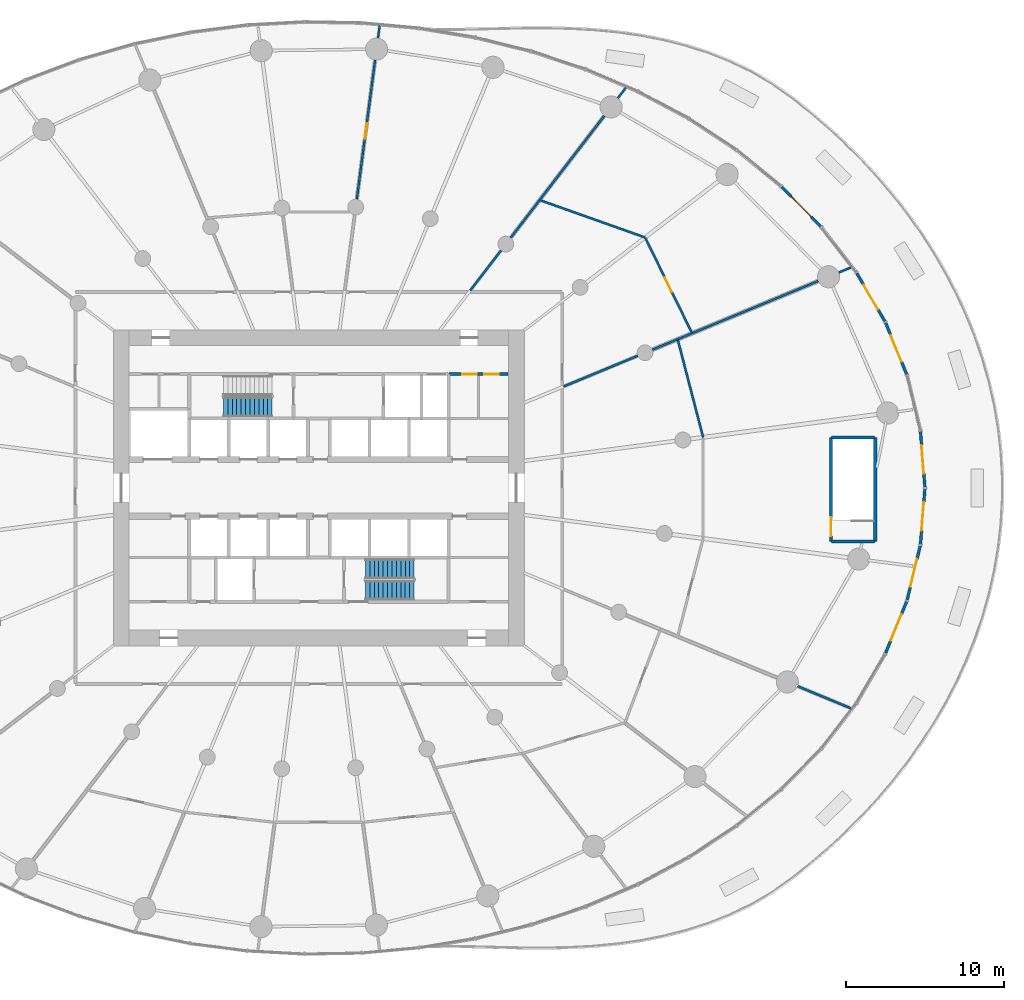
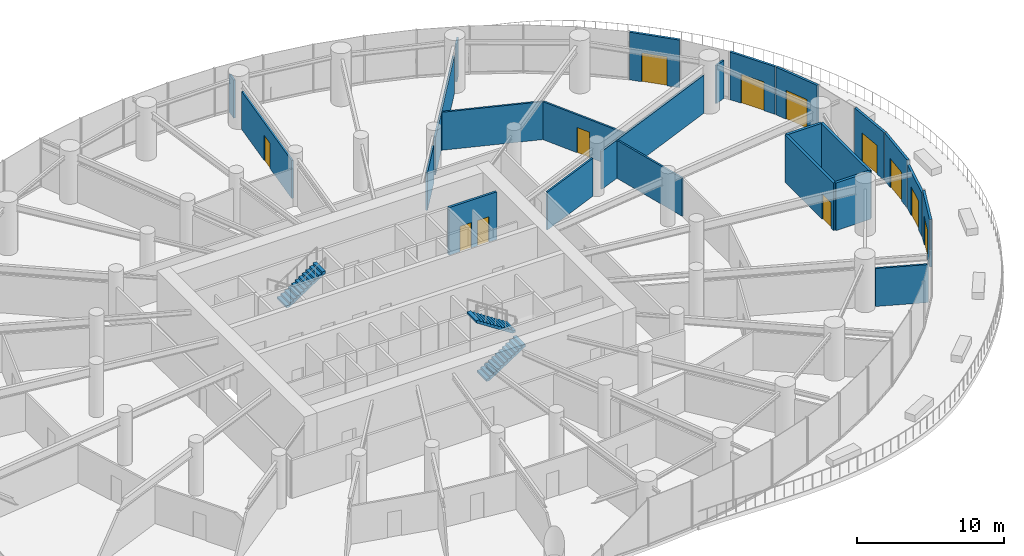
# One storey, part 15 of 21: 25 walls, 12 doors, 3 stair flights, 12 openings, 2 elements without a shape of their own.
"""IFC4 building model written with IfcOpenShell, lengths in metres."""

from ifc_helpers import new_model, si_unit, direction, frame, frame_2d, origin, place, context, subcontext, project, spatial, line, indexed_curve, rectangle, outline, extrude, source, transform, mapped, material, layer, layer_set, type_object, element, fill, aggregate, save


model = new_model("IFC4")

# Units and contexts
model_context = context("Model", 3, precision=1e-05, world=origin(), true_north=direction((0.0, 1.0)))
body_context = subcontext(model_context, "Body", "Model", "MODEL_VIEW")
ifc_project = project(units=[si_unit("LENGTHUNIT", "METRE"), si_unit("AREAUNIT", "SQUARE_METRE"), si_unit("VOLUMEUNIT", "CUBIC_METRE"), si_unit("PLANEANGLEUNIT", "RADIAN"), si_unit("MASSUNIT", "GRAM", prefix="KILO")], contexts=[model_context])

# Site, building, storey
site_placement = place(None, origin())
site = spatial("IfcSite", under=ifc_project, at=site_placement, CompositionType="ELEMENT")
building_placement = place(site_placement, origin())
building = spatial("IfcBuilding", under=site, at=building_placement, Name="Spindrift Exchange Tower", CompositionType="ELEMENT")
storey_placement = place(building_placement, frame((0.0, 0.0, 18.199951171875)))
storey = spatial("IfcBuildingStorey", under=building, at=storey_placement, Name="L04", CompositionType="ELEMENT", Elevation=18.199951171875)

# Wall, opening, door
ifc_material_1 = material(Name="Bronze anodised aluminium frame with fritted laminated glass spandrel", Category="aluminium")
ifc_layer_1 = layer(ifc_material_1, 0.179931640625)
ifc_layer_set_1 = layer_set([ifc_layer_1], Name="UNITISED FRAME WALL")
wall_type_1 = type_object("IfcWallType", Name="UNITISED FRAME WALL", PredefinedType="STANDARD", material=ifc_layer_set_1)
wall_1_placement = place(storey_placement, frame((90.346435546875, 48.044921875, 0.0), z_axis=(0.0, 0.0, 1.0), x_axis=(-0.079643640775, 0.996823399848, 0.0)))
wall_1 = element("IfcWall", 1, at=wall_1_placement, inside=storey, type_object=wall_type_1, Name="L04 Frame Wall 1", PredefinedType="STANDARD", context=body_context, shape_type="SweptSolid", body=[
    extrude(rectangle(XDim=3.534423828125, YDim=0.179931640625, at=frame_2d((1.76708984375, 0.0))), origin(), (0.0, 0.0, 1.0), 3.949951171875),
])
opening_1_placement = place(wall_1_placement, frame((0.8671875, 0.0, 0.0)))
opening_1 = element("IfcOpeningElement", 2, at=opening_1_placement, cuts=wall_1, Name="Opening ED04-2", PredefinedType="OPENING", context=body_context, shape_type="SweptSolid", body=[
    extrude(rectangle(XDim=1.800048828125, YDim=2.39990234375, at=frame_2d((0.89990234375, 1.199951171875))), frame((0.0, 0.099853515625, 0.0), z_axis=(0.0, -1.0, 0.0), x_axis=(1.0, 0.0, 0.0)), (0.0, 0.0, 1.0), 0.199951171875),
])
ifc_material_2 = material(Name="Toughened laminated glass in bronze frame", Category="glass")
door_type_1 = type_object("IfcDoorType", Name="TERRACE GLASS DOOR 1800X2400", OperationType="DOUBLE_DOOR_SINGLE_SWING", PredefinedType="DOOR", material=ifc_material_2)
shared_shape_1 = source(origin(), body_context, "Body", "SweptSolid", [
    extrude(rectangle(XDim=1.800048828125, YDim=2.39990234375, at=frame_2d((0.89990234375, 1.199951171875))), frame((0.0, 0.02490234375, 0.0), z_axis=(0.0, -1.0, 0.0), x_axis=(1.0, 0.0, 0.0)), (0.0, 0.0, 1.0), 0.050048828125),
])
door_1_placement = place(opening_1_placement, origin())
door_1 = element("IfcDoor", 3, at=door_1_placement, inside=storey, type_object=door_type_1, Name="L04 Terrace Glass Door ED04-2", OperationType="DOUBLE_DOOR_SINGLE_SWING", OverallHeight=2.39990234375, OverallWidth=1.800048828125, PredefinedType="DOOR", context=body_context, shape_type="MappedRepresentation", body=[
    mapped(shared_shape_1, transform((0.0, 0.0, 0.0), scale=1.0)),
])
fill(opening_1, door_1)

wall_2_placement = place(storey_placement, frame((89.194091796875, 55.177978515625, 0.0), z_axis=(0.0, 0.0, 1.0), x_axis=(-0.377704890436, 0.925926031463, 0.0)))
wall_2 = element("IfcWall", 4, at=wall_2_placement, inside=storey, type_object=wall_type_1, Name="L04 Frame Wall 3", PredefinedType="STANDARD", context=body_context, shape_type="SweptSolid", body=[
    extrude(rectangle(XDim=3.53515625, YDim=0.179931640625, at=frame_2d((1.767578125, 0.0))), origin(), (0.0, 0.0, 1.0), 3.949951171875),
])
opening_2_placement = place(wall_2_placement, frame((0.867431640625, 0.0, 0.0)))
opening_2 = element("IfcOpeningElement", 5, at=opening_2_placement, cuts=wall_2, Name="Opening ED04-3", PredefinedType="OPENING", context=body_context, shape_type="SweptSolid", body=[
    extrude(rectangle(XDim=1.800048828125, YDim=2.39990234375, at=frame_2d((0.89990234375, 1.199951171875))), frame((0.0, 0.099853515625, 0.0), z_axis=(0.0, -1.0, 0.0), x_axis=(1.0, 0.0, 0.0)), (0.0, 0.0, 1.0), 0.199951171875),
])
door_2_placement = place(opening_2_placement, origin())
door_2 = element("IfcDoor", 6, at=door_2_placement, inside=storey, type_object=door_type_1, Name="L04 Terrace Glass Door ED04-3", OperationType="DOUBLE_DOOR_SINGLE_SWING", OverallHeight=2.39990234375, OverallWidth=1.800048828125, PredefinedType="DOOR", context=body_context, shape_type="MappedRepresentation", body=[
    mapped(shared_shape_1, transform((0.0, 0.0, 0.0), scale=1.0)),
])
fill(opening_2, door_2)

wall_3_placement = place(storey_placement, frame((87.8193359375, 58.53173828125, 0.0), z_axis=(0.0, 0.0, 1.0), x_axis=(-0.50395689343, 0.863728805566, 0.0)))
wall_3 = element("IfcWall", 7, at=wall_3_placement, inside=storey, type_object=wall_type_1, Name="L04 Frame Wall 4", PredefinedType="STANDARD", context=body_context, shape_type="SweptSolid", body=[
    extrude(rectangle(XDim=3.535400390625, YDim=0.179931640625, at=frame_2d((1.767578125, 0.0))), origin(), (0.0, 0.0, 1.0), 3.949951171875),
])
opening_3_placement = place(wall_3_placement, frame((0.86767578125, 0.0, 0.0)))
opening_3 = element("IfcOpeningElement", 8, at=opening_3_placement, cuts=wall_3, Name="Opening ED04-5", PredefinedType="OPENING", context=body_context, shape_type="SweptSolid", body=[
    extrude(rectangle(XDim=1.800048828125, YDim=2.39990234375, at=frame_2d((0.89990234375, 1.199951171875))), frame((0.0, 0.099853515625, 0.0), z_axis=(0.0, -1.0, 0.0), x_axis=(1.0, 0.0, 0.0)), (0.0, 0.0, 1.0), 0.199951171875),
])
door_3_placement = place(opening_3_placement, origin())
door_3 = element("IfcDoor", 9, at=door_3_placement, inside=storey, type_object=door_type_1, Name="L04 Terrace Glass Door ED04-5", OperationType="DOUBLE_DOOR_SINGLE_SWING", OverallHeight=2.39990234375, OverallWidth=1.800048828125, PredefinedType="DOOR", context=body_context, shape_type="MappedRepresentation", body=[
    mapped(shared_shape_1, transform((0.0, 0.0, 0.0), scale=1.0)),
])
fill(opening_3, door_3)

wall_4_placement = place(storey_placement, frame((83.76513671875, 64.524658203125, 0.0), z_axis=(0.0, 0.0, 1.0), x_axis=(-0.701631219798, 0.712540266514, 0.0)))
wall_4 = element("IfcWall", 10, at=wall_4_placement, inside=storey, type_object=wall_type_1, Name="L04 Frame Wall 6", PredefinedType="STANDARD", context=body_context, shape_type="SweptSolid", body=[
    extrude(rectangle(XDim=3.535888671875, YDim=0.179931640625, at=frame_2d((1.76806640625, 0.0))), origin(), (0.0, 0.0, 1.0), 3.949951171875),
])
opening_4_placement = place(wall_4_placement, frame((0.8681640625, 0.0, 0.0)))
opening_4 = element("IfcOpeningElement", 11, at=opening_4_placement, cuts=wall_4, Name="Opening ED04-4", PredefinedType="OPENING", context=body_context, shape_type="SweptSolid", body=[
    extrude(rectangle(XDim=1.800048828125, YDim=2.39990234375, at=frame_2d((0.89990234375, 1.199951171875))), frame((0.0, 0.099853515625, 0.0), z_axis=(0.0, -1.0, 0.0), x_axis=(1.0, 0.0, 0.0)), (0.0, 0.0, 1.0), 0.199951171875),
])
door_4_placement = place(opening_4_placement, origin())
door_4 = element("IfcDoor", 12, at=door_4_placement, inside=storey, type_object=door_type_1, Name="L04 Terrace Glass Door ED04-4", OperationType="DOUBLE_DOOR_SINGLE_SWING", OverallHeight=2.39990234375, OverallWidth=1.800048828125, PredefinedType="DOOR", context=body_context, shape_type="MappedRepresentation", body=[
    mapped(shared_shape_1, transform((0.0, 0.0, 0.0), scale=1.0)),
])
fill(opening_4, door_4)

wall_5_placement = place(storey_placement, frame((87.85888671875, 37.548828125, 0.0), z_axis=(0.0, 0.0, 1.0), x_axis=(0.377704890436, 0.925926031463, 0.0)))
wall_5 = element("IfcWall", 13, at=wall_5_placement, inside=storey, type_object=wall_type_1, Name="L04 Frame Wall 57", PredefinedType="STANDARD", context=body_context, shape_type="SweptSolid", body=[
    extrude(rectangle(XDim=3.53515625, YDim=0.179931640625, at=frame_2d((1.767578125, 0.0))), origin(), (0.0, 0.0, 1.0), 3.949951171875),
])
opening_5_placement = place(wall_5_placement, frame((0.867431640625, 0.0, 0.0)))
opening_5 = element("IfcOpeningElement", 14, at=opening_5_placement, cuts=wall_5, Name="Opening ED04-1", PredefinedType="OPENING", context=body_context, shape_type="SweptSolid", body=[
    extrude(rectangle(XDim=1.800048828125, YDim=2.39990234375, at=frame_2d((0.89990234375, 1.199951171875))), frame((0.0, 0.099853515625, 0.0), z_axis=(0.0, -1.0, 0.0), x_axis=(1.0, 0.0, 0.0)), (0.0, 0.0, 1.0), 0.199951171875),
])
door_5_placement = place(opening_5_placement, origin())
door_5 = element("IfcDoor", 15, at=door_5_placement, inside=storey, type_object=door_type_1, Name="L04 Terrace Glass Door ED04-1", OperationType="DOUBLE_DOOR_SINGLE_SWING", OverallHeight=2.39990234375, OverallWidth=1.800048828125, PredefinedType="DOOR", context=body_context, shape_type="MappedRepresentation", body=[
    mapped(shared_shape_1, transform((0.0, 0.0, 0.0), scale=1.0)),
])
fill(opening_5, door_5)

wall_6_placement = place(storey_placement, frame((90.06494140625, 44.431884765625, 0.0), z_axis=(0.0, 0.0, 1.0), x_axis=(0.079643640775, 0.996823399848, 0.0)))
wall_6 = element("IfcWall", 16, at=wall_6_placement, inside=storey, type_object=wall_type_1, Name="L04 Frame Wall 59", PredefinedType="STANDARD", context=body_context, shape_type="SweptSolid", body=[
    extrude(rectangle(XDim=3.534423828125, YDim=0.179931640625, at=frame_2d((1.76708984375, 0.0))), origin(), (0.0, 0.0, 1.0), 3.949951171875),
])
opening_6_placement = place(wall_6_placement, frame((0.8671875, 0.0, 0.0)))
opening_6 = element("IfcOpeningElement", 17, at=opening_6_placement, cuts=wall_6, Name="Opening ED04-6", PredefinedType="OPENING", context=body_context, shape_type="SweptSolid", body=[
    extrude(rectangle(XDim=1.800048828125, YDim=2.39990234375, at=frame_2d((0.89990234375, 1.199951171875))), frame((0.0, 0.099853515625, 0.0), z_axis=(0.0, -1.0, 0.0), x_axis=(1.0, 0.0, 0.0)), (0.0, 0.0, 1.0), 0.199951171875),
])
door_6_placement = place(opening_6_placement, origin())
door_6 = element("IfcDoor", 18, at=door_6_placement, inside=storey, type_object=door_type_1, Name="L04 Terrace Glass Door ED04-6", OperationType="DOUBLE_DOOR_SINGLE_SWING", OverallHeight=2.39990234375, OverallWidth=1.800048828125, PredefinedType="DOOR", context=body_context, shape_type="MappedRepresentation", body=[
    mapped(shared_shape_1, transform((0.0, 0.0, 0.0), scale=1.0)),
])
fill(opening_6, door_6)

ifc_layer_2 = layer(ifc_material_1, 0.179931640625)
ifc_layer_set_2 = layer_set([ifc_layer_2], Name="UNITISED FRAME WALL TO BEAM SOFFIT")
wall_type_2 = type_object("IfcWallType", Name="UNITISED FRAME WALL TO BEAM SOFFIT", PredefinedType="STANDARD", material=ifc_layer_set_2)
wall_7_placement = place(storey_placement, frame((89.2216796875, 40.907470703125, 0.0), z_axis=(0.0, 0.0, 1.0), x_axis=(0.234564011382, 0.972100676146, 0.0)))
wall_7 = element("IfcWall", 19, at=wall_7_placement, inside=storey, type_object=wall_type_2, Name="L04 Frame Wall 58", PredefinedType="STANDARD", context=body_context, shape_type="SweptSolid", body=[
    extrude(rectangle(XDim=3.53466796875, YDim=0.179931640625, at=frame_2d((1.767333984375, 0.0))), origin(), (0.0, 0.0, 1.0), 3.591064453125),
])
opening_7_placement = place(wall_7_placement, frame((0.8671875, 0.0, 0.0)))
opening_7 = element("IfcOpeningElement", 20, at=opening_7_placement, cuts=wall_7, Name="Opening ED04-7", PredefinedType="OPENING", context=body_context, shape_type="SweptSolid", body=[
    extrude(rectangle(XDim=1.800048828125, YDim=2.39990234375, at=frame_2d((0.89990234375, 1.199951171875))), frame((0.0, 0.099853515625, 0.0), z_axis=(0.0, -1.0, 0.0), x_axis=(1.0, 0.0, 0.0)), (0.0, 0.0, 1.0), 0.199951171875),
])
door_7_placement = place(opening_7_placement, origin())
door_7 = element("IfcDoor", 21, at=door_7_placement, inside=storey, type_object=door_type_1, Name="L04 Terrace Glass Door ED04-7", OperationType="DOUBLE_DOOR_SINGLE_SWING", OverallHeight=2.39990234375, OverallWidth=1.800048828125, PredefinedType="DOOR", context=body_context, shape_type="MappedRepresentation", body=[
    mapped(shared_shape_1, transform((0.0, 0.0, 0.0), scale=1.0)),
])
fill(opening_7, door_7)

# Wall, openings, doors
ifc_material_3 = material(Name="Fire-rated plasterboard partition", Category="gypsum")
ifc_layer_3 = layer(ifc_material_3, 0.179931640625)
ifc_layer_set_3 = layer_set([ifc_layer_3], Name="W-CORR-180")
wall_type_3 = type_object("IfcWallType", Name="W-CORR-180", PredefinedType="PARTITIONING", material=ifc_layer_set_3)
wall_8_placement = place(storey_placement, frame((63.97998046875, 55.199951171875, 0.0), z_axis=(0.0, 0.0, 1.0), x_axis=(-1.0, 0.0, 0.0)))
wall_8 = element("IfcWall", 22, at=wall_8_placement, inside=storey, type_object=wall_type_3, Name="L04 Partition wall 68", PredefinedType="PARTITIONING", context=body_context, shape_type="SweptSolid", body=[
    extrude(rectangle(XDim=3.75, YDim=0.179931640625, at=frame_2d((1.875, 0.0))), origin(), (0.0, 0.0, 1.0), 3.949951171875),
])
opening_8_placement = place(wall_8_placement, frame((2.0, 0.0, 0.0)))
opening_8 = element("IfcOpeningElement", 23, at=opening_8_placement, cuts=wall_8, Name="Opening L04-D55", PredefinedType="OPENING", context=body_context, shape_type="SweptSolid", body=[
    extrude(rectangle(XDim=0.89990234375, YDim=2.10009765625, at=frame_2d((0.449951171875, 1.050048828125))), frame((0.0, 0.099853515625, 0.0), z_axis=(0.0, -1.0, 0.0), x_axis=(1.0, 0.0, 0.0)), (0.0, 0.0, 1.0), 0.199951171875),
])
opening_9_placement = place(wall_8_placement, frame((0.60009765625, 0.0, 0.0)))
opening_9 = element("IfcOpeningElement", 24, at=opening_9_placement, cuts=wall_8, Name="Opening L04-D56", PredefinedType="OPENING", context=body_context, shape_type="SweptSolid", body=[
    extrude(rectangle(XDim=0.89990234375, YDim=2.10009765625, at=frame_2d((0.449951171875, 1.050048828125))), frame((0.0, 0.099853515625, 0.0), z_axis=(0.0, -1.0, 0.0), x_axis=(1.0, 0.0, 0.0)), (0.0, 0.0, 1.0), 0.199951171875),
])
ifc_material_4 = material(Name="Steel access door", Category="steel")
door_type_2 = type_object("IfcDoorType", Name="DR-RISER-900", OperationType="NOTDEFINED", PredefinedType="DOOR", material=ifc_material_4)
shared_shape_2 = source(origin(), body_context, "Body", "SweptSolid", [
    extrude(rectangle(XDim=0.89990234375, YDim=2.10009765625, at=frame_2d((0.449951171875, 1.050048828125))), frame((0.0, 0.02490234375, 0.0), z_axis=(0.0, -1.0, 0.0), x_axis=(1.0, 0.0, 0.0)), (0.0, 0.0, 1.0), 0.050048828125),
])
door_8_placement = place(opening_8_placement, origin())
door_8 = element("IfcDoor", 25, at=door_8_placement, inside=storey, type_object=door_type_2, Name="L04 Riser door 55", OperationType="SINGLE_SWING_RIGHT", OverallHeight=2.10009765625, OverallWidth=0.89990234375, PredefinedType="DOOR", context=body_context, shape_type="MappedRepresentation", body=[
    mapped(shared_shape_2, transform((0.0, 0.0, 0.0), scale=1.0)),
])
fill(opening_8, door_8)
door_9_placement = place(opening_9_placement, origin())
door_9 = element("IfcDoor", 26, at=door_9_placement, inside=storey, type_object=door_type_2, Name="L04 Riser door 56", OperationType="SINGLE_SWING_LEFT", OverallHeight=2.10009765625, OverallWidth=0.89990234375, PredefinedType="DOOR", context=body_context, shape_type="MappedRepresentation", body=[
    mapped(shared_shape_2, transform((0.0, 0.0, 0.0), scale=1.0)),
])
fill(opening_9, door_9)

# Walls
ifc_layer_4 = layer(ifc_material_3, 0.139892578125)
ifc_layer_set_4 = layer_set([ifc_layer_4], Name="W-PART-140")
wall_type_4 = type_object("IfcWallType", Name="W-PART-140", PredefinedType="PARTITIONING", material=ifc_layer_set_4)
wall_9_placement = place(storey_placement, frame((70.063720703125, 71.541015625, 0.0), z_axis=(0.0, 0.0, 1.0), x_axis=(-0.608770295053, -0.793346537057, 0.0)))
element("IfcWall", 27, at=wall_9_placement, inside=storey, type_object=wall_type_4, Name="L04 Partition wall 70", PredefinedType="PARTITIONING", context=body_context, shape_type="SweptSolid", body=[
    extrude(rectangle(XDim=9.727294921875, YDim=0.139892578125, at=frame_2d((4.86376953125, 0.0))), origin(), (0.0, 0.0, 1.0), 3.150146484375),
])
wall_10_placement = place(storey_placement, frame((74.704345703125, 57.404296875, 0.0), z_axis=(0.0, 0.0, 1.0), x_axis=(0.923875564014, 0.382693013024, 0.0)))
element("IfcWall", 28, at=wall_10_placement, inside=storey, type_object=wall_type_4, Name="L04 Partition wall 71", PredefinedType="PARTITIONING", context=body_context, shape_type="SweptSolid", body=[
    extrude(rectangle(XDim=9.6259765625, YDim=0.139892578125, at=frame_2d((4.81298828125, 0.0))), origin(), (0.0, 0.0, 1.0), 3.150146484375),
])
wall_11_placement = place(storey_placement, frame((72.64697265625, 63.843017578125, 0.0), z_axis=(0.0, 0.0, 1.0), x_axis=(-0.942402239282, 0.33448171758, 0.0)))
element("IfcWall", 29, at=wall_11_placement, inside=storey, type_object=wall_type_4, Name="L04 Partition wall 79", PredefinedType="PARTITIONING", context=body_context, shape_type="SweptSolid", body=[
    extrude(rectangle(XDim=7.007080078125, YDim=0.139892578125, at=frame_2d((3.50341796875, 0.0))), origin(), (0.0, 0.0, 1.0), 3.150146484375),
])

# Wall, opening, door
wall_12_placement = place(storey_placement, frame((72.66015625, 63.816162109375, 0.0), z_axis=(0.0, 0.0, 1.0), x_axis=(0.44010555344, -0.897946046169, 0.0)))
wall_12 = element("IfcWall", 30, at=wall_12_placement, inside=storey, type_object=wall_type_4, Name="L04 Partition wall 84", PredefinedType="PARTITIONING", context=body_context, shape_type="SweptSolid", body=[
    extrude(rectangle(XDim=6.64892578125, YDim=0.139892578125, at=frame_2d((3.324462890625, 0.0))), origin(), (0.0, 0.0, 1.0), 3.150146484375),
])
opening_10_placement = place(wall_12_placement, frame((2.799072265625, 0.0, 0.0)))
opening_10 = element("IfcOpeningElement", 31, at=opening_10_placement, cuts=wall_12, Name="Opening L04-D27", PredefinedType="OPENING", context=body_context, shape_type="SweptSolid", body=[
    extrude(rectangle(XDim=1.0, YDim=2.10009765625, at=frame_2d((0.5, 1.050048828125))), frame((0.0, 0.079833984375, 0.0), z_axis=(0.0, -1.0, 0.0), x_axis=(1.0, 0.0, 0.0)), (0.0, 0.0, 1.0), 0.159912109375),
])
ifc_material_5 = material(Name="Timber-core fire door", Category="wood")
door_type_3 = type_object("IfcDoorType", Name="DR-ROOM-1000", OperationType="NOTDEFINED", PredefinedType="DOOR", material=ifc_material_5)
shared_shape_3 = source(origin(), body_context, "Body", "SweptSolid", [
    extrude(rectangle(XDim=1.0, YDim=2.10009765625, at=frame_2d((0.5, 1.050048828125))), frame((0.0, 0.02490234375, 0.0), z_axis=(0.0, -1.0, 0.0), x_axis=(1.0, 0.0, 0.0)), (0.0, 0.0, 1.0), 0.050048828125),
])
door_10_placement = place(opening_10_placement, origin())
door_10 = element("IfcDoor", 32, at=door_10_placement, inside=storey, type_object=door_type_3, Name="L04 Door 27", OperationType="SINGLE_SWING_RIGHT", OverallHeight=2.10009765625, OverallWidth=1.0, PredefinedType="DOOR", context=body_context, shape_type="MappedRepresentation", body=[
    mapped(shared_shape_3, transform((0.0, 0.0, 0.0), scale=1.0)),
])
fill(opening_10, door_10)

# Walls
wall_13_placement = place(storey_placement, frame((76.315673828125, 51.201171875, 0.0), z_axis=(0.0, 0.0, 1.0), x_axis=(-0.251404417417, 0.967882130687, 0.0)))
element("IfcWall", 33, at=wall_13_placement, inside=storey, type_object=wall_type_4, Name="L04 Partition wall 87", PredefinedType="PARTITIONING", context=body_context, shape_type="SweptSolid", body=[
    extrude(rectangle(XDim=6.379150390625, YDim=0.139892578125, at=frame_2d((3.189453125, 0.0))), origin(), (0.0, 0.0, 1.0), 3.150146484375),
])
wall_14_placement = place(storey_placement, frame((67.489990234375, 54.416259765625, 0.0), z_axis=(0.0, 0.0, 1.0), x_axis=(0.923890025086, 0.382658100067, 0.0)))
element("IfcWall", 34, at=wall_14_placement, inside=storey, type_object=wall_type_4, Name="L04 Partition wall 102", PredefinedType="PARTITIONING", context=body_context, shape_type="SweptSolid", body=[
    extrude(rectangle(XDim=5.068359375, YDim=0.139892578125, at=frame_2d((2.5341796875, 0.0))), origin(), (0.0, 0.0, 1.0), 3.150146484375),
])
wall_15_placement = place(storey_placement, frame((61.583984375, 60.489990234375, 0.0), z_axis=(0.0, 0.0, 1.0), x_axis=(0.60874605662, 0.793365135703, 0.0)))
element("IfcWall", 35, at=wall_15_placement, inside=storey, type_object=wall_type_4, Name="L04 Partition wall 121", PredefinedType="PARTITIONING", context=body_context, shape_type="SweptSolid", body=[
    extrude(rectangle(XDim=3.193603515625, YDim=0.139892578125, at=frame_2d((1.5966796875, 0.0))), origin(), (0.0, 0.0, 1.0), 3.150146484375),
])
wall_16_placement = place(storey_placement, frame((73.10595703125, 56.7421875, 0.0), z_axis=(0.0, 0.0, 1.0), x_axis=(0.923810256597, 0.38285063642, 0.0)))
element("IfcWall", 36, at=wall_16_placement, inside=storey, type_object=wall_type_4, Name="L04 Partition wall 125", PredefinedType="PARTITIONING", context=body_context, shape_type="SweptSolid", body=[
    extrude(rectangle(XDim=1.7001953125, YDim=0.139892578125, at=frame_2d((0.85009765625, 0.0))), origin(), (0.0, 0.0, 1.0), 3.150146484375),
])
wall_17_placement = place(storey_placement, frame((70.9208984375, 72.658447265625, 0.0), z_axis=(0.0, 0.0, 1.0), x_axis=(0.608939798959, 0.793216440351, 0.0)))
element("IfcWall", 37, at=wall_17_placement, inside=storey, type_object=wall_type_4, Name="L04 Partition wall 136", PredefinedType="PARTITIONING", context=body_context, shape_type="SweptSolid", body=[
    extrude(rectangle(XDim=0.82666015625, YDim=0.139892578125, at=frame_2d((0.413330078125, 0.0))), origin(), (0.0, 0.0, 1.0), 3.150146484375),
])
wall_18_placement = place(storey_placement, frame((84.900146484375, 61.627685546875, 0.0), z_axis=(0.0, 0.0, 1.0), x_axis=(0.923846977396, 0.382762017913, 0.0)))
element("IfcWall", 38, at=wall_18_placement, inside=storey, type_object=wall_type_4, Name="L04 Partition wall 139", PredefinedType="PARTITIONING", context=body_context, shape_type="SweptSolid", body=[
    extrude(rectangle(XDim=0.823486328125, YDim=0.139892578125, at=frame_2d((0.41162109375, 0.0))), origin(), (0.0, 0.0, 1.0), 3.150146484375),
])

# Wall, opening, door
ifc_layer_5 = layer(ifc_material_3, 0.139892578125)
ifc_layer_set_5 = layer_set([ifc_layer_5], Name="W-PLANT-140")
wall_type_5 = type_object("IfcWallType", Name="W-PLANT-140", PredefinedType="PARTITIONING", material=ifc_layer_set_5)
wall_19_placement = place(storey_placement, frame((54.405029296875, 66.267333984375, 0.0), z_axis=(0.0, 0.0, 1.0), x_axis=(0.130521426482, 0.991445488783, 0.0)))
wall_19 = element("IfcWall", 39, at=wall_19_placement, inside=storey, type_object=wall_type_5, Name="L04 Partition wall 73", PredefinedType="PARTITIONING", context=body_context, shape_type="SweptSolid", body=[
    extrude(rectangle(XDim=8.871826171875, YDim=0.139892578125, at=frame_2d((4.43603515625, 0.0))), origin(), (0.0, 0.0, 1.0), 3.150146484375),
])
opening_11_placement = place(wall_19_placement, frame((3.85009765625, 0.0, 0.0)))
opening_11 = element("IfcOpeningElement", 40, at=opening_11_placement, cuts=wall_19, Name="Opening L04-D32", PredefinedType="OPENING", context=body_context, shape_type="SweptSolid", body=[
    extrude(rectangle(XDim=1.0, YDim=2.10009765625, at=frame_2d((0.5, 1.050048828125))), frame((0.0, 0.079833984375, 0.0), z_axis=(0.0, -1.0, 0.0), x_axis=(1.0, 0.0, 0.0)), (0.0, 0.0, 1.0), 0.159912109375),
])
door_11_placement = place(opening_11_placement, origin())
door_11 = element("IfcDoor", 41, at=door_11_placement, inside=storey, type_object=door_type_3, Name="L04 Door 32", OperationType="SINGLE_SWING_LEFT", OverallHeight=2.10009765625, OverallWidth=1.0, PredefinedType="DOOR", context=body_context, shape_type="MappedRepresentation", body=[
    mapped(shared_shape_3, transform((0.0, 0.0, 0.0), scale=1.0)),
])
fill(opening_11, door_11)

# Walls
wall_20_placement = place(storey_placement, frame((82.2958984375, 35.450927734375, 0.0), z_axis=(0.0, 0.0, 1.0), x_axis=(0.923882033439, -0.382677394537, 0.0)))
element("IfcWall", 42, at=wall_20_placement, inside=storey, type_object=wall_type_5, Name="L04 Partition wall 113", PredefinedType="PARTITIONING", context=body_context, shape_type="SweptSolid", body=[
    extrude(rectangle(XDim=3.642333984375, YDim=0.139892578125, at=frame_2d((1.8212890625, 0.0))), origin(), (0.0, 0.0, 1.0), 3.150146484375),
])
wall_21_placement = place(storey_placement, frame((55.746826171875, 76.459716796875, 0.0), z_axis=(0.0, 0.0, 1.0), x_axis=(0.130639131193, 0.991429986132, 0.0)))
element("IfcWall", 43, at=wall_21_placement, inside=storey, type_object=wall_type_5, Name="L04 Partition wall 142", PredefinedType="PARTITIONING", context=body_context, shape_type="SweptSolid", body=[
    extrude(rectangle(XDim=0.786865234375, YDim=0.139892578125, at=frame_2d((0.3935546875, 0.0))), origin(), (0.0, 0.0, 1.0), 3.150146484375),
])
ifc_material_6 = material(Name="Concrete 40 MPa", Category="concrete")
ifc_layer_6 = layer(ifc_material_6, 0.199951171875)
ifc_layer_set_6 = layer_set([ifc_layer_6], Name="W-SHAFT-200-LB")
wall_type_6 = type_object("IfcWallType", Name="W-SHAFT-200-LB", PredefinedType="SOLIDWALL", material=ifc_layer_set_6)
wall_22_placement = place(storey_placement, frame((87.199951171875, 44.60009765625, 0.0), z_axis=(0.0, 0.0, 1.0), x_axis=(0.0, 1.0, 0.0)))
element("IfcWall", 44, at=wall_22_placement, inside=storey, type_object=wall_type_6, Name="L04 Shaft wall 3", PredefinedType="SOLIDWALL", context=body_context, shape_type="SweptSolid", body=[
    extrude(rectangle(XDim=6.599853515625, YDim=0.199951171875, at=frame_2d((3.2998046875, 0.0))), origin(), (0.0, 0.0, 1.0), 3.949951171875),
])

# Wall, opening, door
wall_23_placement = place(storey_placement, frame((84.39990234375, 51.199951171875, 0.0), z_axis=(0.0, 0.0, 1.0), x_axis=(0.0, -1.0, 0.0)))
wall_23 = element("IfcWall", 45, at=wall_23_placement, inside=storey, type_object=wall_type_6, Name="L04 Shaft wall 4", PredefinedType="SOLIDWALL", context=body_context, shape_type="SweptSolid", body=[
    extrude(rectangle(XDim=6.599853515625, YDim=0.199951171875, at=frame_2d((3.2998046875, 0.0))), origin(), (0.0, 0.0, 1.0), 3.949951171875),
])
opening_12_placement = place(wall_23_placement, frame((5.050048828125, 0.0, 0.0)))
opening_12 = element("IfcOpeningElement", 46, at=opening_12_placement, cuts=wall_23, Name="Opening L04-D49", PredefinedType="OPENING", context=body_context, shape_type="SweptSolid", body=[
    extrude(rectangle(XDim=1.199951171875, YDim=2.10009765625, at=frame_2d((0.60009765625, 1.050048828125))), frame((0.0, 0.10986328125, 0.0), z_axis=(0.0, -1.0, 0.0), x_axis=(1.0, 0.0, 0.0)), (0.0, 0.0, 1.0), 0.219970703125),
])
ifc_material_7 = material(Name="Steel fire door", Category="steel")
door_type_4 = type_object("IfcDoorType", Name="DR-STAIR-1200", OperationType="NOTDEFINED", PredefinedType="DOOR", material=ifc_material_7)
shared_shape_4 = source(origin(), body_context, "Body", "SweptSolid", [
    extrude(rectangle(XDim=1.199951171875, YDim=2.10009765625, at=frame_2d((0.60009765625, 1.050048828125))), frame((0.0, 0.02490234375, 0.0), z_axis=(0.0, -1.0, 0.0), x_axis=(1.0, 0.0, 0.0)), (0.0, 0.0, 1.0), 0.050048828125),
])
door_12_placement = place(opening_12_placement, origin())
door_12 = element("IfcDoor", 47, at=door_12_placement, inside=storey, type_object=door_type_4, Name="L04 Stair door 49", OperationType="SINGLE_SWING_RIGHT", OverallHeight=2.10009765625, OverallWidth=1.199951171875, PredefinedType="DOOR", context=body_context, shape_type="MappedRepresentation", body=[
    mapped(shared_shape_4, transform((0.0, 0.0, 0.0), scale=1.0)),
])
fill(opening_12, door_12)

# Walls
for number, where, z_axis, x_axis, name in (
    (48, (84.429931640625, 44.60009765625, 0.0), (0.0, 0.0, 1.0), (1.0, 0.0, 0.0), "L04 Shaft wall 17"),
    (49, (87.169921875, 51.199951171875, 0.0), (0.0, 0.0, 1.0), (-1.0, 0.0, 0.0), "L04 Shaft wall 18"),
):
    element("IfcWall", number, at=place(storey_placement, frame(where, z_axis=z_axis, x_axis=x_axis)), inside=storey, type_object=wall_type_6, Name=name, PredefinedType="SOLIDWALL", context=body_context, shape_type="SweptSolid", body=[
        extrude(rectangle(XDim=2.739990234375, YDim=0.199951171875, at=frame_2d((1.3701171875, 0.0))), origin(), (0.0, 0.0, 1.0), 3.949951171875),
    ])

# Stair, stair flight
ifc_material_8 = material(Name="Concrete 50 MPa", Category="concrete")
stair_type = type_object("IfcStairType", Name="ST-1250-R183", PredefinedType="HALF_TURN_STAIR", material=ifc_material_8)
stair_1_placement = place(storey_placement, origin())
stair_1 = element("IfcStair", 50, at=stair_1_placement, inside=storey, type_object=stair_type, Name="L04 Exit stair ST1", PredefinedType="HALF_TURN_STAIR")
stair_flight_type = type_object("IfcStairFlightType", Name="STF-1250-R183", PredefinedType="STRAIGHT", material=ifc_material_8)
stair_flight_1_placement = place(storey_placement, frame((45.969970703125, 53.125, 2.199951171875), z_axis=(0.0, 0.0, 1.0), x_axis=(1.0, 0.0, 0.0)))
stair_flight_1 = element("IfcStairFlight", 51, at=stair_flight_1_placement, type_object=stair_flight_type, Name="ST1 flight 2", NumberOfRisers=12, NumberOfTreads=11, PredefinedType="STRAIGHT", RiserHeight=0.183333333, TreadLength=0.28, context=body_context, shape_type="SweptSolid", body=[
    extrude(outline(indexed_curve([(0.0, 0.0), (0.0, 0.18359375), (0.2802734375, 0.18359375), (0.2802734375, 0.3662109375), (0.5595703125, 0.3662109375), (0.5595703125, 0.5498046875), (0.83984375, 0.5498046875), (0.83984375, 0.7333984375), (1.1201171875, 0.7333984375), (1.1201171875, 0.9169921875), (1.400390625, 0.9169921875), (1.400390625, 1.099609375), (1.6796875, 1.099609375), (1.6796875, 1.283203125), (1.9599609375, 1.283203125), (1.9599609375, 1.466796875), (2.240234375, 1.466796875), (2.240234375, 1.650390625), (2.51953125, 1.650390625), (2.51953125, 1.8330078125), (2.7998046875, 1.8330078125), (2.7998046875, 2.0166015625), (3.080078125, 2.0166015625), (3.080078125, 2.2001953125), (3.080078125, 1.837890625), (0.2734375, 0.0)], segments=[line(1, 2, 3, 4, 5, 6, 7, 8, 9, 10, 11, 12, 13, 14, 15, 16, 17, 18, 19, 20, 21, 22, 23, 24, 25, 26, 1)], self_intersect=False)), frame((0.0, 0.625, 0.0), z_axis=(0.0, -1.0, 0.0), x_axis=(1.0, 0.0, 0.0)), (0.0, 0.0, 1.0), 1.25),
])
aggregate(stair_1, [stair_flight_1])

# Stair, stair flights
stair_2_placement = place(storey_placement, origin())
stair_2 = element("IfcStair", 52, at=stair_2_placement, inside=storey, type_object=stair_type, Name="L04 Exit stair ST2", PredefinedType="HALF_TURN_STAIR")
stair_flight_2_placement = place(storey_placement, frame((54.949951171875, 41.52490234375, 0.0), z_axis=(0.0, 0.0, 1.0), x_axis=(1.0, 0.0, 0.0)))
stair_flight_2 = element("IfcStairFlight", 53, at=stair_flight_2_placement, type_object=stair_flight_type, Name="ST2 flight 1", NumberOfRisers=12, NumberOfTreads=11, PredefinedType="STRAIGHT", RiserHeight=0.183333333, TreadLength=0.28, context=body_context, shape_type="SweptSolid", body=[
    extrude(outline(indexed_curve([(0.0, 0.0), (0.0, 0.18359375), (0.2802734375, 0.18359375), (0.2802734375, 0.3662109375), (0.5595703125, 0.3662109375), (0.5595703125, 0.5498046875), (0.83984375, 0.5498046875), (0.83984375, 0.7333984375), (1.1201171875, 0.7333984375), (1.1201171875, 0.9169921875), (1.400390625, 0.9169921875), (1.400390625, 1.099609375), (1.6796875, 1.099609375), (1.6796875, 1.283203125), (1.9599609375, 1.283203125), (1.9599609375, 1.466796875), (2.240234375, 1.466796875), (2.240234375, 1.650390625), (2.51953125, 1.650390625), (2.51953125, 1.8330078125), (2.7998046875, 1.8330078125), (2.7998046875, 2.0166015625), (3.080078125, 2.0166015625), (3.080078125, 2.2001953125), (3.080078125, 1.837890625), (0.2734375, 0.0)], segments=[line(1, 2, 3, 4, 5, 6, 7, 8, 9, 10, 11, 12, 13, 14, 15, 16, 17, 18, 19, 20, 21, 22, 23, 24, 25, 26, 1)], self_intersect=False)), frame((0.0, 0.625, 0.0), z_axis=(0.0, -1.0, 0.0), x_axis=(1.0, 0.0, 0.0)), (0.0, 0.0, 1.0), 1.25),
])
stair_flight_3_placement = place(storey_placement, frame((58.030029296875, 42.875, 2.199951171875), z_axis=(0.0, 0.0, 1.0), x_axis=(-1.0, 0.0, 0.0)))
stair_flight_3 = element("IfcStairFlight", 54, at=stair_flight_3_placement, type_object=stair_flight_type, Name="ST2 flight 2", NumberOfRisers=12, NumberOfTreads=11, PredefinedType="STRAIGHT", RiserHeight=0.183333333, TreadLength=0.28, context=body_context, shape_type="SweptSolid", body=[
    extrude(outline(indexed_curve([(0.0, 0.0), (0.0, 0.18359375), (0.2802734375, 0.18359375), (0.2802734375, 0.3662109375), (0.5595703125, 0.3662109375), (0.5595703125, 0.5498046875), (0.83984375, 0.5498046875), (0.83984375, 0.7333984375), (1.1201171875, 0.7333984375), (1.1201171875, 0.9169921875), (1.400390625, 0.9169921875), (1.400390625, 1.099609375), (1.6796875, 1.099609375), (1.6796875, 1.283203125), (1.9599609375, 1.283203125), (1.9599609375, 1.466796875), (2.240234375, 1.466796875), (2.240234375, 1.650390625), (2.51953125, 1.650390625), (2.51953125, 1.8330078125), (2.7998046875, 1.8330078125), (2.7998046875, 2.0166015625), (3.080078125, 2.0166015625), (3.080078125, 2.2001953125), (3.080078125, 1.837890625), (0.2734375, 0.0)], segments=[line(1, 2, 3, 4, 5, 6, 7, 8, 9, 10, 11, 12, 13, 14, 15, 16, 17, 18, 19, 20, 21, 22, 23, 24, 25, 26, 1)], self_intersect=False)), frame((0.0, 0.625, 0.0), z_axis=(0.0, -1.0, 0.0), x_axis=(1.0, 0.0, 0.0)), (0.0, 0.0, 1.0), 1.25),
])
aggregate(stair_2, [stair_flight_2, stair_flight_3])

save(model, "model.ifc")
